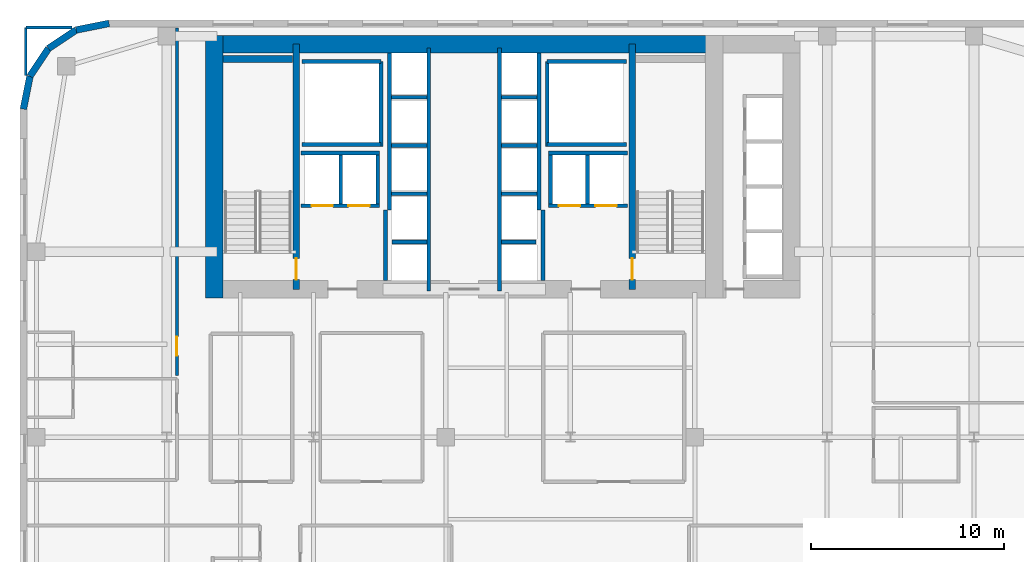
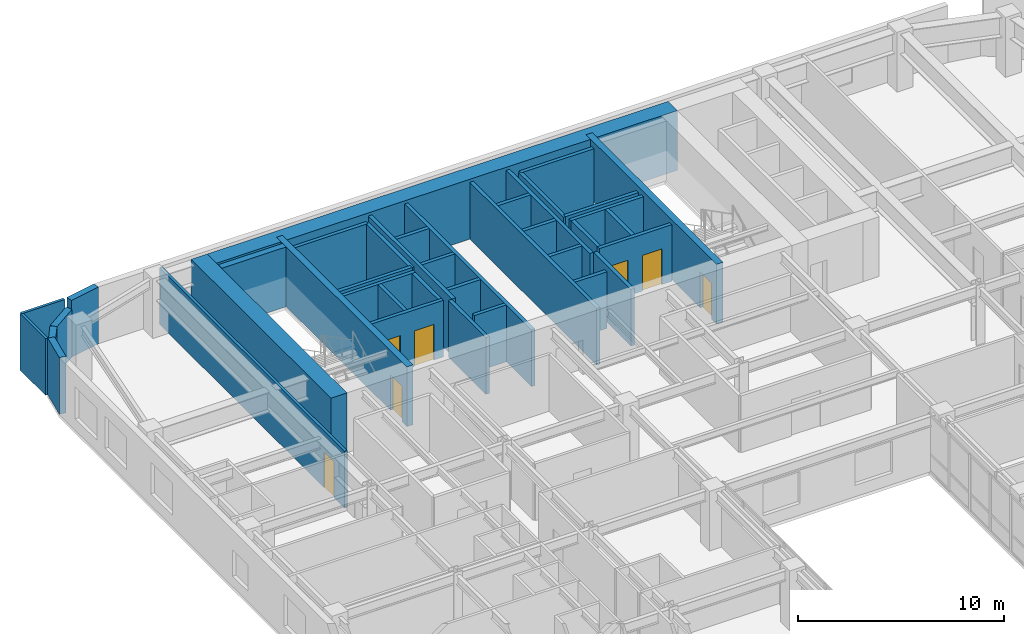
# One storey, part 14 of 16: 40 walls, 7 doors, 7 openings.
"""IFC4 building model written with IfcOpenShell, lengths in metres."""

from ifc_helpers import new_model, si_unit, direction, frame, frame_2d, origin, place, context, subcontext, project, spatial, rectangle, extrude, source, transform, mapped, material, layer, layer_set, type_object, type_shapes, element, fill, save


model = new_model("IFC4")

# Units and contexts
model_context = context("Model", 3, precision=1e-05, world=origin(), true_north=direction((0.0, 1.0)))
body_context = subcontext(model_context, "Body", "Model", "MODEL_VIEW")
ifc_project = project(units=[si_unit("LENGTHUNIT", "METRE"), si_unit("AREAUNIT", "SQUARE_METRE"), si_unit("VOLUMEUNIT", "CUBIC_METRE"), si_unit("PLANEANGLEUNIT", "RADIAN"), si_unit("MASSUNIT", "GRAM", prefix="KILO")], contexts=[model_context])

# Site, building, storey
site_placement = place(None, origin())
site = spatial("IfcSite", under=ifc_project, at=site_placement, CompositionType="ELEMENT")
building_placement = place(site_placement, origin())
building = spatial("IfcBuilding", under=site, at=building_placement, Name="Tolvann Quenvar Hotel", CompositionType="ELEMENT")
storey_placement = place(building_placement, frame((0.0, 0.0, 85.25)))
storey = spatial("IfcBuildingStorey", under=building, at=storey_placement, Name="L21", CompositionType="ELEMENT", Elevation=85.25)

# Walls
ifc_material_1 = material(Name="Concrete S80 (80 MPa)", Category="concrete")
ifc_layer_1 = layer(ifc_material_1, 0.89990234375)
ifc_layer_set_1 = layer_set([ifc_layer_1], Name="Concrete S80 (80 MPa)")
wall_type_1 = type_object("IfcWallType", Name="WALL_CORE_900", PredefinedType="SHEAR", material=ifc_layer_set_1)
wall_1_placement = place(storey_placement, frame((9.60009765625, 44.75, 0.0), z_axis=(0.0, 0.0, 1.0), x_axis=(1.0, 0.0, 0.0)))
element("IfcWall", 1, at=wall_1_placement, inside=storey, type_object=wall_type_1, Name="Rear Core N Shear Wall (L21)", PredefinedType="SHEAR", context=body_context, shape_type="SweptSolid", body=[
    extrude(rectangle(XDim=26.7998046875, YDim=0.89990234375, at=frame_2d((13.39990234375, 0.0))), origin(), (0.0, 0.0, 1.0), 3.550048828125),
])
wall_2_placement = place(storey_placement, frame((10.050048828125, 31.60009765625, 0.0), z_axis=(0.0, 0.0, 1.0), x_axis=(0.0, 1.0, 0.0)))
element("IfcWall", 2, at=wall_2_placement, inside=storey, type_object=wall_type_1, Name="Rear Core W Shear Wall (L21)", PredefinedType="SHEAR", context=body_context, shape_type="SweptSolid", body=[
    extrude(rectangle(XDim=13.599853515625, YDim=0.89990234375, at=frame_2d((6.7998046875, 0.0))), origin(), (0.0, 0.0, 1.0), 3.550048828125),
])

# Wall, opening, door
ifc_material_2 = material(Name="Concrete S65 (65 MPa)", Category="concrete")
ifc_layer_2 = layer(ifc_material_2, 0.35009765625)
ifc_layer_set_2 = layer_set([ifc_layer_2], Name="Concrete S65 (65 MPa)")
wall_type_2 = type_object("IfcWallType", Name="WALL_CORE_INT_350", PredefinedType="SHEAR", material=ifc_layer_set_2)
wall_3_placement = place(storey_placement, frame((14.300048828125, 32.050048828125, 0.0), z_axis=(0.0, 0.0, 1.0), x_axis=(0.0, 1.0, 0.0)))
wall_3 = element("IfcWall", 3, at=wall_3_placement, inside=storey, type_object=wall_type_2, Name="Core Internal Web Shear Wall WEB-W (L21)", PredefinedType="SHEAR", context=body_context, shape_type="SweptSolid", body=[
    extrude(rectangle(XDim=12.699951171875, YDim=0.35009765625, at=frame_2d((6.35009765625, 0.0))), origin(), (0.0, 0.0, 1.0), 3.550048828125),
])
opening_1_placement = place(wall_3_placement, frame((0.5, 0.0, 0.0)))
opening_1 = element("IfcOpeningElement", 4, at=opening_1_placement, cuts=wall_3, Name="Opening FD-120", PredefinedType="OPENING", context=body_context, shape_type="SweptSolid", body=[
    extrude(rectangle(XDim=1.10009765625, YDim=2.1201171875, at=frame_2d((0.550048828125, 1.06005859375))), frame((0.0, 0.18505859375, 0.0), z_axis=(0.0, -1.0, 0.0), x_axis=(1.0, 0.0, 0.0)), (0.0, 0.0, 1.0), 0.3701171875),
])
ifc_material_3 = material(Name="Pressed galvanised steel fire-rated door set", Category="steel")
door_type_1 = type_object("IfcDoorType", Name="DOOR_FIRE_STAIR_1100", OperationType="NOTDEFINED", PredefinedType="DOOR", material=ifc_material_3)
shared_shape_1 = source(origin(), body_context, "Body", "SweptSolid", [
    extrude(rectangle(XDim=1.10009765625, YDim=2.1201171875, at=frame_2d((0.550048828125, 1.06005859375))), frame((0.0, 0.02490234375, 0.0), z_axis=(0.0, -1.0, 0.0), x_axis=(1.0, 0.0, 0.0)), (0.0, 0.0, 1.0), 0.050048828125),
])
type_shapes(door_type_1, [shared_shape_1])
door_1_placement = place(opening_1_placement, origin())
door_1 = element("IfcDoor", 5, at=door_1_placement, inside=storey, type_object=door_type_1, Name="Exit Stair ST-C1 Fire Door (L21)", OperationType="SINGLE_SWING_RIGHT", OverallHeight=2.1201171875, OverallWidth=1.10009765625, PredefinedType="DOOR", context=body_context, shape_type="MappedRepresentation", body=[
    mapped(shared_shape_1, transform((0.0, 0.0, 0.0), x_axis=(1.0, 0.0, 0.0), y_axis=(0.0, 1.0, 0.0), z_axis=(0.0, 0.0, 1.0), scale=1.0)),
])
fill(opening_1, door_1)

wall_4_placement = place(storey_placement, frame((31.699951171875, 32.050048828125, 0.0), z_axis=(0.0, 0.0, 1.0), x_axis=(0.0, 1.0, 0.0)))
wall_4 = element("IfcWall", 6, at=wall_4_placement, inside=storey, type_object=wall_type_2, Name="Core Internal Web Shear Wall WEB-E (L21)", PredefinedType="SHEAR", context=body_context, shape_type="SweptSolid", body=[
    extrude(rectangle(XDim=12.699951171875, YDim=0.35009765625, at=frame_2d((6.35009765625, 0.0))), origin(), (0.0, 0.0, 1.0), 3.550048828125),
])
opening_2_placement = place(wall_4_placement, frame((1.60009765625, 0.0, 0.0), z_axis=(0.0, 0.0, 1.0), x_axis=(-1.0, 0.0, 0.0)))
opening_2 = element("IfcOpeningElement", 7, at=opening_2_placement, cuts=wall_4, Name="Opening FD-120", PredefinedType="OPENING", context=body_context, shape_type="SweptSolid", body=[
    extrude(rectangle(XDim=1.10009765625, YDim=2.1201171875, at=frame_2d((0.550048828125, 1.06005859375))), frame((0.0, 0.18505859375, 0.0), z_axis=(0.0, -1.0, 0.0), x_axis=(1.0, 0.0, 0.0)), (0.0, 0.0, 1.0), 0.3701171875),
])
door_2_placement = place(opening_2_placement, origin())
door_2 = element("IfcDoor", 8, at=door_2_placement, inside=storey, type_object=door_type_1, Name="Exit Stair ST-C2 Fire Door (L21)", OperationType="SINGLE_SWING_LEFT", OverallHeight=2.1201171875, OverallWidth=1.10009765625, PredefinedType="DOOR", context=body_context, shape_type="MappedRepresentation", body=[
    mapped(shared_shape_1, transform((0.0, 0.0, 0.0), x_axis=(1.0, 0.0, 0.0), y_axis=(0.0, 1.0, 0.0), z_axis=(0.0, 0.0, 1.0), scale=1.0)),
])
fill(opening_2, door_2)

# Walls
wall_5_placement = place(storey_placement, frame((10.52001953125, 43.97509765625, 0.0), z_axis=(0.0, 0.0, 1.0), x_axis=(1.0, 0.0, 0.0)))
element("IfcWall", 9, at=wall_5_placement, inside=storey, type_object=wall_type_2, Name="Core Stair North Closing Shear Wall STC1-N (L21)", PredefinedType="SHEAR", context=body_context, shape_type="SweptSolid", body=[
    extrude(rectangle(XDim=3.60009765625, YDim=0.35009765625, at=frame_2d((1.800048828125, 0.0))), origin(), (0.0, 0.0, 1.0), 3.550048828125),
])
ifc_material_4 = material(Name="Kiln-fired red and buff architectural clay brickwork and terracotta masonry", Category="masonry")
ifc_layer_3 = layer(ifc_material_4, 0.35009765625)
ifc_layer_set_3 = layer_set([ifc_layer_3], Name="Kiln-fired red and buff architectural clay brickwork and terracotta masonry")
wall_type_3 = type_object("IfcWallType", Name="WALL_EXT_BRICK_350", PredefinedType="SOLIDWALL", material=ifc_layer_set_3)
wall_6_placement = place(storey_placement, frame((4.6171875, 45.824951171875, 0.0), z_axis=(0.0, 0.0, 1.0), x_axis=(-0.980800971659, -0.195011420161, 0.0)))
element("IfcWall", 10, at=wall_6_placement, inside=storey, type_object=wall_type_3, Name="Exterior Chicago Brick Wall L21-E19", PredefinedType="SOLIDWALL", context=body_context, shape_type="SweptSolid", body=[
    extrude(rectangle(XDim=1.74267578125, YDim=0.35009765625, at=frame_2d((0.871337890625, 0.0))), origin(), (0.0, 0.0, 1.0), 3.3701171875),
])
for number, where, z_axis, x_axis, name in (
    (11, (2.907958984375, 45.485107421875, 0.0), (0.0, 0.0, 1.0), (-0.831483840845, -0.55554893791, 0.0), "Exterior Chicago Brick Wall L21-E20"),
    (12, (1.473388671875, 44.526611328125, 0.0), (0.0, 0.0, 1.0), (-0.55554893791, -0.831483840845, 0.0), "Exterior Chicago Brick Wall L21-E21"),
):
    element("IfcWall", number, at=place(storey_placement, frame(where, z_axis=z_axis, x_axis=x_axis)), inside=storey, type_object=wall_type_3, Name=name, PredefinedType="SOLIDWALL", context=body_context, shape_type="SweptSolid", body=[
        extrude(rectangle(XDim=1.725341796875, YDim=0.35009765625, at=frame_2d((0.86279296875, 0.0))), origin(), (0.0, 0.0, 1.0), 2.83203125),
    ])
wall_7_placement = place(storey_placement, frame((0.514892578125, 43.092041015625, 0.0), z_axis=(0.0, 0.0, 1.0), x_axis=(-0.195011420161, -0.980800971659, 0.0)))
element("IfcWall", 13, at=wall_7_placement, inside=storey, type_object=wall_type_3, Name="Exterior Chicago Brick Wall L21-E22", PredefinedType="SOLIDWALL", context=body_context, shape_type="SweptSolid", body=[
    extrude(rectangle(XDim=1.74267578125, YDim=0.35009765625, at=frame_2d((0.871337890625, 0.0))), origin(), (0.0, 0.0, 1.0), 3.3701171875),
])

# Wall, opening, door
ifc_material_5 = material(Name="Acoustic twin-stud fire-rated gypsum plasterboard partition")
ifc_layer_4 = layer(ifc_material_5, 0.14990234375)
ifc_layer_set_4 = layer_set([ifc_layer_4], Name="Acoustic twin-stud fire-rated gypsum plasterboard partition")
wall_type_4 = type_object("IfcWallType", Name="WALL_PART_SUITE_150", PredefinedType="PARTITIONING", material=ifc_layer_set_4)
wall_8_placement = place(storey_placement, frame((8.1201171875, 27.580078125, 0.0), z_axis=(0.0, 0.0, 1.0), x_axis=(0.0, 1.0, 0.0)))
wall_8 = element("IfcWall", 14, at=wall_8_placement, inside=storey, type_object=wall_type_4, Name="Interior Partition PT-SPC-L21-RM-NW02-ENT", PredefinedType="PARTITIONING", context=body_context, shape_type="SweptSolid", body=[
    extrude(rectangle(XDim=18.014892578125, YDim=0.14990234375, at=frame_2d((9.00732421875, 0.0))), origin(), (0.0, 0.0, 1.0), 3.3701171875),
])
opening_3_placement = place(wall_8_placement, frame((1.044921875, 0.0, 0.0)))
opening_3 = element("IfcOpeningElement", 15, at=opening_3_placement, cuts=wall_8, Name="Opening SD-01", PredefinedType="OPENING", context=body_context, shape_type="SweptSolid", body=[
    extrude(rectangle(XDim=0.97998046875, YDim=2.1201171875, at=frame_2d((0.489990234375, 1.06005859375))), frame((0.0, 0.0849609375, 0.0), z_axis=(0.0, -1.0, 0.0), x_axis=(1.0, 0.0, 0.0)), (0.0, 0.0, 1.0), 0.169921875),
])
ifc_material_6 = material(Name="Solid-core American oak acoustic fire door leaf in steel frame", Category="steel")
door_type_2 = type_object("IfcDoorType", Name="DOOR_SUITE_980", OperationType="NOTDEFINED", PredefinedType="DOOR", material=ifc_material_6)
shared_shape_2 = source(origin(), body_context, "Body", "SweptSolid", [
    extrude(rectangle(XDim=0.97998046875, YDim=2.1201171875, at=frame_2d((0.489990234375, 1.06005859375))), frame((0.0, 0.02490234375, 0.0), z_axis=(0.0, -1.0, 0.0), x_axis=(1.0, 0.0, 0.0)), (0.0, 0.0, 1.0), 0.050048828125),
])
type_shapes(door_type_2, [shared_shape_2])
door_3_placement = place(opening_3_placement, origin())
door_3 = element("IfcDoor", 16, at=door_3_placement, inside=storey, type_object=door_type_2, Name="Interior Door DOOR-SPC-L21-RM-NW02", OperationType="SINGLE_SWING_RIGHT", OverallHeight=2.1201171875, OverallWidth=0.97998046875, PredefinedType="DOOR", context=body_context, shape_type="MappedRepresentation", body=[
    mapped(shared_shape_2, transform((0.0, 0.0, 0.0), x_axis=(1.0, 0.0, 0.0), y_axis=(0.0, 1.0, 0.0), z_axis=(0.0, 0.0, 1.0), scale=1.0)),
])
fill(opening_3, door_3)

# Walls
wall_9_placement = place(storey_placement, frame((0.300048828125, 45.6201171875, 0.0), z_axis=(0.0, 0.0, 1.0), x_axis=(1.0, 0.0, 0.0)))
element("IfcWall", 17, at=wall_9_placement, inside=storey, type_object=wall_type_4, Name="Interior Partition PT-SPC-L21-RM-NW02-E5", PredefinedType="PARTITIONING", context=body_context, shape_type="SweptSolid", body=[
    extrude(rectangle(XDim=2.39599609375, YDim=0.14990234375, at=frame_2d((1.197998046875, 0.0))), origin(), (0.0, 0.0, 1.0), 3.3701171875),
])
wall_10_placement = place(storey_placement, frame((0.300048828125, 43.135009765625, 0.0), z_axis=(0.0, 0.0, 1.0), x_axis=(0.0, 1.0, 0.0)))
element("IfcWall", 18, at=wall_10_placement, inside=storey, type_object=wall_type_4, Name="Interior Partition PT-SPC-L21-RM-NW02-E6", PredefinedType="PARTITIONING", context=body_context, shape_type="SweptSolid", body=[
    extrude(rectangle(XDim=2.485107421875, YDim=0.14990234375, at=frame_2d((1.24267578125, 0.0))), origin(), (0.0, 0.0, 1.0), 3.3701171875),
])
ifc_material_7 = material(Name="Concrete N40 (40 MPa)", Category="concrete")
ifc_layer_5 = layer(ifc_material_7, 0.199951171875)
ifc_layer_set_5 = layer_set([ifc_layer_5], Name="Concrete N40 (40 MPa)")
wall_type_5 = type_object("IfcWallType", Name="WALL_SHAFT_200", PredefinedType="SOLIDWALL", material=ifc_layer_set_5)
wall_11_placement = place(storey_placement, frame((18.699951171875, 39.449951171875, 0.0), z_axis=(0.0, 0.0, 1.0), x_axis=(0.0, 1.0, 0.0)))
element("IfcWall", 19, at=wall_11_placement, inside=storey, type_object=wall_type_5, Name="Service Riser W Shaft Wall IN (L21)", PredefinedType="SOLIDWALL", context=body_context, shape_type="SweptSolid", body=[
    extrude(rectangle(XDim=4.400146484375, YDim=0.199951171875, at=frame_2d((2.2001953125, 0.0))), origin(), (0.0, 0.0, 1.0), 3.3701171875),
])
for number, where, z_axis, x_axis, name in (
    (20, (14.60009765625, 39.550048828125, 0.0), (0.0, 0.0, 1.0), (1.0, 0.0, 0.0), "Service Riser W Shaft Wall S (L21)"),
    (21, (14.60009765625, 43.85009765625, 0.0), (0.0, 0.0, 1.0), (1.0, 0.0, 0.0), "Service Riser W Shaft Wall N (L21)"),
):
    element("IfcWall", number, at=place(storey_placement, frame(where, z_axis=z_axis, x_axis=x_axis)), inside=storey, type_object=wall_type_5, Name=name, PredefinedType="SOLIDWALL", context=body_context, shape_type="SweptSolid", body=[
        extrude(rectangle(XDim=4.099853515625, YDim=0.199951171875, at=frame_2d((2.0498046875, 0.0))), origin(), (0.0, 0.0, 1.0), 3.3701171875),
    ])
wall_12_placement = place(storey_placement, frame((27.300048828125, 39.449951171875, 0.0), z_axis=(0.0, 0.0, 1.0), x_axis=(0.0, 1.0, 0.0)))
element("IfcWall", 22, at=wall_12_placement, inside=storey, type_object=wall_type_5, Name="Service Riser E Shaft Wall IN (L21)", PredefinedType="SOLIDWALL", context=body_context, shape_type="SweptSolid", body=[
    extrude(rectangle(XDim=4.400146484375, YDim=0.199951171875, at=frame_2d((2.2001953125, 0.0))), origin(), (0.0, 0.0, 1.0), 3.3701171875),
])
for number, where, z_axis, x_axis, name in (
    (23, (27.300048828125, 39.550048828125, 0.0), (0.0, 0.0, 1.0), (1.0, 0.0, 0.0), "Service Riser E Shaft Wall S (L21)"),
    (24, (27.300048828125, 43.85009765625, 0.0), (0.0, 0.0, 1.0), (1.0, 0.0, 0.0), "Service Riser E Shaft Wall N (L21)"),
):
    element("IfcWall", number, at=place(storey_placement, frame(where, z_axis=z_axis, x_axis=x_axis)), inside=storey, type_object=wall_type_5, Name=name, PredefinedType="SOLIDWALL", context=body_context, shape_type="SweptSolid", body=[
        extrude(rectangle(XDim=4.099853515625, YDim=0.199951171875, at=frame_2d((2.0498046875, 0.0))), origin(), (0.0, 0.0, 1.0), 3.3701171875),
    ])
for number, where, z_axis, x_axis, name in (
    (25, (18.919921875, 32.50390625, 0.0), (0.0, 0.0, 1.0), (0.0, 1.0, 0.0), "Firefighting Lobby W Inner Fire Wall (L21)"),
    (26, (27.080078125, 32.50390625, 0.0), (0.0, 0.0, 1.0), (0.0, 1.0, 0.0), "Firefighting Lobby E Inner Fire Wall (L21)"),
):
    element("IfcWall", number, at=place(storey_placement, frame(where, z_axis=z_axis, x_axis=x_axis)), inside=storey, type_object=wall_type_5, Name=name, PredefinedType="SOLIDWALL", context=body_context, shape_type="SweptSolid", body=[
        extrude(rectangle(XDim=3.64599609375, YDim=0.199951171875, at=frame_2d((1.822998046875, 0.0))), origin(), (0.0, 0.0, 1.0), 3.3701171875),
    ])
wall_13_placement = place(storey_placement, frame((21.169921875, 31.9599609375, 0.0), z_axis=(0.0, 0.0, 1.0), x_axis=(0.0, 1.0, 0.0)))
element("IfcWall", 27, at=wall_13_placement, inside=storey, type_object=wall_type_5, Name="Lift Bank E21.1C1 Hoistway Front Wall (L21)", PredefinedType="SOLIDWALL", context=body_context, shape_type="SweptSolid", body=[
    extrude(rectangle(XDim=12.580078125, YDim=0.199951171875, at=frame_2d((6.2900390625, 0.0))), origin(), (0.0, 0.0, 1.0), 3.3701171875),
])
wall_14_placement = place(storey_placement, frame((19.1298828125, 36.159912109375, 0.0), z_axis=(0.0, 0.0, 1.0), x_axis=(0.0, 1.0, 0.0)))
element("IfcWall", 28, at=wall_14_placement, inside=storey, type_object=wall_type_5, Name="Lift Bank E21.1C1 Hoistway Rear Wall (L21)", PredefinedType="SOLIDWALL", context=body_context, shape_type="SweptSolid", body=[
    extrude(rectangle(XDim=8.135986328125, YDim=0.199951171875, at=frame_2d((4.06787109375, 0.0))), origin(), (0.0, 0.0, 1.0), 3.3701171875),
])
wall_15_placement = place(storey_placement, frame((19.27001953125, 34.5, 0.0), z_axis=(0.0, 0.0, 1.0), x_axis=(1.0, 0.0, 0.0)))
element("IfcWall", 29, at=wall_15_placement, inside=storey, type_object=wall_type_5, Name="Lift Bank E21.1C1 Divider Wall 1 (L21)", PredefinedType="SOLIDWALL", context=body_context, shape_type="SweptSolid", body=[
    extrude(rectangle(XDim=1.800048828125, YDim=0.199951171875, at=frame_2d((0.89990234375, 0.0))), origin(), (0.0, 0.0, 1.0), 3.3701171875),
])
for number, where, z_axis, x_axis, name in (
    (30, (19.22998046875, 37.0, 0.0), (0.0, 0.0, 1.0), (1.0, 0.0, 0.0), "Lift Bank E21.1C1 Divider Wall 2 (L21)"),
    (31, (19.22998046875, 39.5, 0.0), (0.0, 0.0, 1.0), (1.0, 0.0, 0.0), "Lift Bank E21.1C1 Divider Wall 3 (L21)"),
    (32, (19.22998046875, 42.0, 0.0), (0.0, 0.0, 1.0), (1.0, 0.0, 0.0), "Lift Bank E21.1C1 Divider Wall 4 (L21)"),
):
    element("IfcWall", number, at=place(storey_placement, frame(where, z_axis=z_axis, x_axis=x_axis)), inside=storey, type_object=wall_type_5, Name=name, PredefinedType="SOLIDWALL", context=body_context, shape_type="SweptSolid", body=[
        extrude(rectangle(XDim=1.840087890625, YDim=0.199951171875, at=frame_2d((0.919921875, 0.0))), origin(), (0.0, 0.0, 1.0), 3.3701171875),
    ])

# Wall, openings, doors
wall_16_placement = place(storey_placement, frame((27.375, 36.3798828125, 0.0), z_axis=(0.0, 0.0, 1.0), x_axis=(1.0, 0.0, 0.0)))
wall_16 = element("IfcWall", 33, at=wall_16_placement, inside=storey, type_object=wall_type_5, Name="Lift Bank SEC1 Hoistway Front Wall (L21)", PredefinedType="SOLIDWALL", context=body_context, shape_type="SweptSolid", body=[
    extrude(rectangle(XDim=4.074951171875, YDim=0.199951171875, at=frame_2d((2.03759765625, 0.0))), origin(), (0.0, 0.0, 1.0), 3.3701171875),
])
opening_4_placement = place(wall_16_placement, frame((0.52490234375, 0.0, 0.0)))
opening_4 = element("IfcOpeningElement", 34, at=opening_4_placement, cuts=wall_16, Name="Opening LD-01", PredefinedType="OPENING", context=body_context, shape_type="SweptSolid", body=[
    extrude(rectangle(XDim=1.10009765625, YDim=2.1201171875, at=frame_2d((0.550048828125, 1.06005859375))), frame((0.0, 0.10986328125, 0.0), z_axis=(0.0, -1.0, 0.0), x_axis=(1.0, 0.0, 0.0)), (0.0, 0.0, 1.0), 0.219970703125),
])
opening_5_placement = place(wall_16_placement, frame((2.425048828125, 0.0, 0.0)))
opening_5 = element("IfcOpeningElement", 35, at=opening_5_placement, cuts=wall_16, Name="Opening LD-01", PredefinedType="OPENING", context=body_context, shape_type="SweptSolid", body=[
    extrude(rectangle(XDim=1.10009765625, YDim=2.1201171875, at=frame_2d((0.550048828125, 1.06005859375))), frame((0.0, 0.10986328125, 0.0), z_axis=(0.0, -1.0, 0.0), x_axis=(1.0, 0.0, 0.0)), (0.0, 0.0, 1.0), 0.219970703125),
])
ifc_material_8 = material(Name="Brushed 316 stainless steel automatic sliding lift landing door", Category="steel")
door_type_3 = type_object("IfcDoorType", Name="DOOR_LIFT_SLIDE_1100", OperationType="NOTDEFINED", PredefinedType="DOOR", material=ifc_material_8)
shared_shape_3 = source(origin(), body_context, "Body", "SweptSolid", [
    extrude(rectangle(XDim=1.10009765625, YDim=2.1201171875, at=frame_2d((0.550048828125, 1.06005859375))), frame((0.0, 0.02490234375, 0.0), z_axis=(0.0, -1.0, 0.0), x_axis=(1.0, 0.0, 0.0)), (0.0, 0.0, 1.0), 0.050048828125),
])
type_shapes(door_type_3, [shared_shape_3])
door_4_placement = place(opening_4_placement, origin())
door_4 = element("IfcDoor", 36, at=door_4_placement, inside=storey, type_object=door_type_3, Name="Lift SV-2 Sliding Landing Door (L21)", OperationType="SLIDING_TO_LEFT", OverallHeight=2.1201171875, OverallWidth=1.10009765625, PredefinedType="DOOR", context=body_context, shape_type="MappedRepresentation", body=[
    mapped(shared_shape_3, transform((0.0, 0.0, 0.0), x_axis=(1.0, 0.0, 0.0), y_axis=(0.0, 1.0, 0.0), z_axis=(0.0, 0.0, 1.0), scale=1.0)),
])
fill(opening_4, door_4)
door_5_placement = place(opening_5_placement, origin())
door_5 = element("IfcDoor", 37, at=door_5_placement, inside=storey, type_object=door_type_3, Name="Lift FF-2 Sliding Landing Door (L21)", OperationType="SLIDING_TO_RIGHT", OverallHeight=2.1201171875, OverallWidth=1.10009765625, PredefinedType="DOOR", context=body_context, shape_type="MappedRepresentation", body=[
    mapped(shared_shape_3, transform((0.0, 0.0, 0.0), x_axis=(1.0, 0.0, 0.0), y_axis=(0.0, 1.0, 0.0), z_axis=(0.0, 0.0, 1.0), scale=1.0)),
])
fill(opening_5, door_5)

# Walls
wall_17_placement = place(storey_placement, frame((27.375, 39.1201171875, 0.0), z_axis=(0.0, 0.0, 1.0), x_axis=(1.0, 0.0, 0.0)))
element("IfcWall", 38, at=wall_17_placement, inside=storey, type_object=wall_type_5, Name="Lift Bank SEC1 Hoistway Rear Wall (L21)", PredefinedType="SOLIDWALL", context=body_context, shape_type="SweptSolid", body=[
    extrude(rectangle(XDim=4.074951171875, YDim=0.199951171875, at=frame_2d((2.03759765625, 0.0))), origin(), (0.0, 0.0, 1.0), 3.3701171875),
])
for number, where, z_axis, x_axis, name in (
    (39, (27.47509765625, 36.47998046875, 0.0), (0.0, 0.0, 1.0), (0.0, 1.0, 0.0), "Lift Bank SEC1 Hoistway Cheek Wall 1 (L21)"),
    (40, (29.387451171875, 36.47998046875, 0.0), (0.0, 0.0, 1.0), (0.0, 1.0, 0.0), "Lift Bank SEC1 Divider Wall 1 (L21)"),
):
    element("IfcWall", number, at=place(storey_placement, frame(where, z_axis=z_axis, x_axis=x_axis)), inside=storey, type_object=wall_type_5, Name=name, PredefinedType="SOLIDWALL", context=body_context, shape_type="SweptSolid", body=[
        extrude(rectangle(XDim=2.5400390625, YDim=0.199951171875, at=frame_2d((1.27001953125, 0.0))), origin(), (0.0, 0.0, 1.0), 3.3701171875),
    ])

# Wall, openings, doors
wall_18_placement = place(storey_placement, frame((14.550048828125, 36.3798828125, 0.0), z_axis=(0.0, 0.0, 1.0), x_axis=(1.0, 0.0, 0.0)))
wall_18 = element("IfcWall", 41, at=wall_18_placement, inside=storey, type_object=wall_type_5, Name="Lift Bank SWC1 Hoistway Front Wall (L21)", PredefinedType="SOLIDWALL", context=body_context, shape_type="SweptSolid", body=[
    extrude(rectangle(XDim=4.074951171875, YDim=0.199951171875, at=frame_2d((2.03759765625, 0.0))), origin(), (0.0, 0.0, 1.0), 3.3701171875),
])
opening_6_placement = place(wall_18_placement, frame((0.550048828125, 0.0, 0.0)))
opening_6 = element("IfcOpeningElement", 42, at=opening_6_placement, cuts=wall_18, Name="Opening LD-01", PredefinedType="OPENING", context=body_context, shape_type="SweptSolid", body=[
    extrude(rectangle(XDim=1.10009765625, YDim=2.1201171875, at=frame_2d((0.550048828125, 1.06005859375))), frame((0.0, 0.10986328125, 0.0), z_axis=(0.0, -1.0, 0.0), x_axis=(1.0, 0.0, 0.0)), (0.0, 0.0, 1.0), 0.219970703125),
])
opening_7_placement = place(wall_18_placement, frame((2.449951171875, 0.0, 0.0)))
opening_7 = element("IfcOpeningElement", 43, at=opening_7_placement, cuts=wall_18, Name="Opening LD-01", PredefinedType="OPENING", context=body_context, shape_type="SweptSolid", body=[
    extrude(rectangle(XDim=1.10009765625, YDim=2.1201171875, at=frame_2d((0.550048828125, 1.06005859375))), frame((0.0, 0.10986328125, 0.0), z_axis=(0.0, -1.0, 0.0), x_axis=(1.0, 0.0, 0.0)), (0.0, 0.0, 1.0), 0.219970703125),
])
door_6_placement = place(opening_6_placement, origin())
door_6 = element("IfcDoor", 44, at=door_6_placement, inside=storey, type_object=door_type_3, Name="Lift FF-1 Sliding Landing Door (L21)", OperationType="SLIDING_TO_LEFT", OverallHeight=2.1201171875, OverallWidth=1.10009765625, PredefinedType="DOOR", context=body_context, shape_type="MappedRepresentation", body=[
    mapped(shared_shape_3, transform((0.0, 0.0, 0.0), x_axis=(1.0, 0.0, 0.0), y_axis=(0.0, 1.0, 0.0), z_axis=(0.0, 0.0, 1.0), scale=1.0)),
])
fill(opening_6, door_6)
door_7_placement = place(opening_7_placement, origin())
door_7 = element("IfcDoor", 45, at=door_7_placement, inside=storey, type_object=door_type_3, Name="Lift SV-1 Sliding Landing Door (L21)", OperationType="SLIDING_TO_RIGHT", OverallHeight=2.1201171875, OverallWidth=1.10009765625, PredefinedType="DOOR", context=body_context, shape_type="MappedRepresentation", body=[
    mapped(shared_shape_3, transform((0.0, 0.0, 0.0), x_axis=(1.0, 0.0, 0.0), y_axis=(0.0, 1.0, 0.0), z_axis=(0.0, 0.0, 1.0), scale=1.0)),
])
fill(opening_7, door_7)

# Walls
wall_19_placement = place(storey_placement, frame((14.550048828125, 39.1201171875, 0.0), z_axis=(0.0, 0.0, 1.0), x_axis=(1.0, 0.0, 0.0)))
element("IfcWall", 46, at=wall_19_placement, inside=storey, type_object=wall_type_5, Name="Lift Bank SWC1 Hoistway Rear Wall (L21)", PredefinedType="SOLIDWALL", context=body_context, shape_type="SweptSolid", body=[
    extrude(rectangle(XDim=4.074951171875, YDim=0.199951171875, at=frame_2d((2.03759765625, 0.0))), origin(), (0.0, 0.0, 1.0), 3.3701171875),
])
for number, where, z_axis, x_axis, name in (
    (47, (18.52490234375, 36.47998046875, 0.0), (0.0, 0.0, 1.0), (0.0, 1.0, 0.0), "Lift Bank SWC1 Hoistway Cheek Wall 2 (L21)"),
    (48, (16.612548828125, 36.47998046875, 0.0), (0.0, 0.0, 1.0), (0.0, 1.0, 0.0), "Lift Bank SWC1 Divider Wall 1 (L21)"),
):
    element("IfcWall", number, at=place(storey_placement, frame(where, z_axis=z_axis, x_axis=x_axis)), inside=storey, type_object=wall_type_5, Name=name, PredefinedType="SOLIDWALL", context=body_context, shape_type="SweptSolid", body=[
        extrude(rectangle(XDim=2.5400390625, YDim=0.199951171875, at=frame_2d((1.27001953125, 0.0))), origin(), (0.0, 0.0, 1.0), 3.3701171875),
    ])
wall_20_placement = place(storey_placement, frame((24.830078125, 31.9599609375, 0.0), z_axis=(0.0, 0.0, 1.0), x_axis=(0.0, 1.0, 0.0)))
element("IfcWall", 49, at=wall_20_placement, inside=storey, type_object=wall_type_5, Name="Lift Bank W24.9C1 Hoistway Front Wall (L21)", PredefinedType="SOLIDWALL", context=body_context, shape_type="SweptSolid", body=[
    extrude(rectangle(XDim=12.580078125, YDim=0.199951171875, at=frame_2d((6.2900390625, 0.0))), origin(), (0.0, 0.0, 1.0), 3.3701171875),
])
wall_21_placement = place(storey_placement, frame((26.8701171875, 36.159912109375, 0.0), z_axis=(0.0, 0.0, 1.0), x_axis=(0.0, 1.0, 0.0)))
element("IfcWall", 50, at=wall_21_placement, inside=storey, type_object=wall_type_5, Name="Lift Bank W24.9C1 Hoistway Rear Wall (L21)", PredefinedType="SOLIDWALL", context=body_context, shape_type="SweptSolid", body=[
    extrude(rectangle(XDim=8.135986328125, YDim=0.199951171875, at=frame_2d((4.06787109375, 0.0))), origin(), (0.0, 0.0, 1.0), 3.3701171875),
])
wall_22_placement = place(storey_placement, frame((24.929931640625, 34.5, 0.0), z_axis=(0.0, 0.0, 1.0), x_axis=(1.0, 0.0, 0.0)))
element("IfcWall", 51, at=wall_22_placement, inside=storey, type_object=wall_type_5, Name="Lift Bank W24.9C1 Divider Wall 1 (L21)", PredefinedType="SOLIDWALL", context=body_context, shape_type="SweptSolid", body=[
    extrude(rectangle(XDim=1.800048828125, YDim=0.199951171875, at=frame_2d((0.89990234375, 0.0))), origin(), (0.0, 0.0, 1.0), 3.3701171875),
])
for number, where, z_axis, x_axis, name in (
    (52, (24.929931640625, 37.0, 0.0), (0.0, 0.0, 1.0), (1.0, 0.0, 0.0), "Lift Bank W24.9C1 Divider Wall 2 (L21)"),
    (53, (24.929931640625, 39.5, 0.0), (0.0, 0.0, 1.0), (1.0, 0.0, 0.0), "Lift Bank W24.9C1 Divider Wall 3 (L21)"),
    (54, (24.929931640625, 42.0, 0.0), (0.0, 0.0, 1.0), (1.0, 0.0, 0.0), "Lift Bank W24.9C1 Divider Wall 4 (L21)"),
):
    element("IfcWall", number, at=place(storey_placement, frame(where, z_axis=z_axis, x_axis=x_axis)), inside=storey, type_object=wall_type_5, Name=name, PredefinedType="SOLIDWALL", context=body_context, shape_type="SweptSolid", body=[
        extrude(rectangle(XDim=1.840087890625, YDim=0.199951171875, at=frame_2d((0.919921875, 0.0))), origin(), (0.0, 0.0, 1.0), 3.3701171875),
    ])

save(model, "model.ifc")
